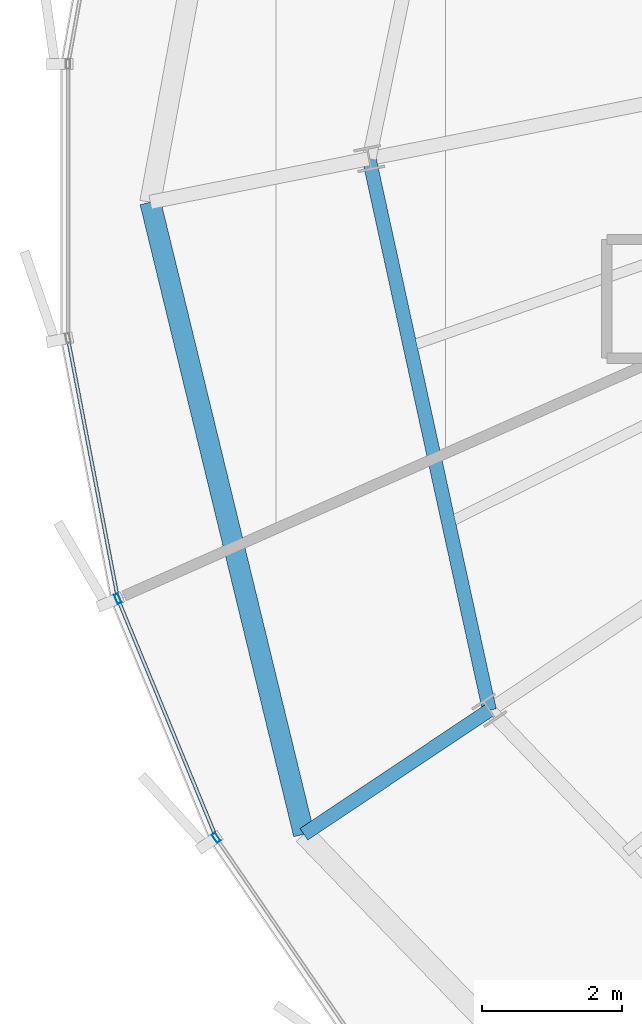
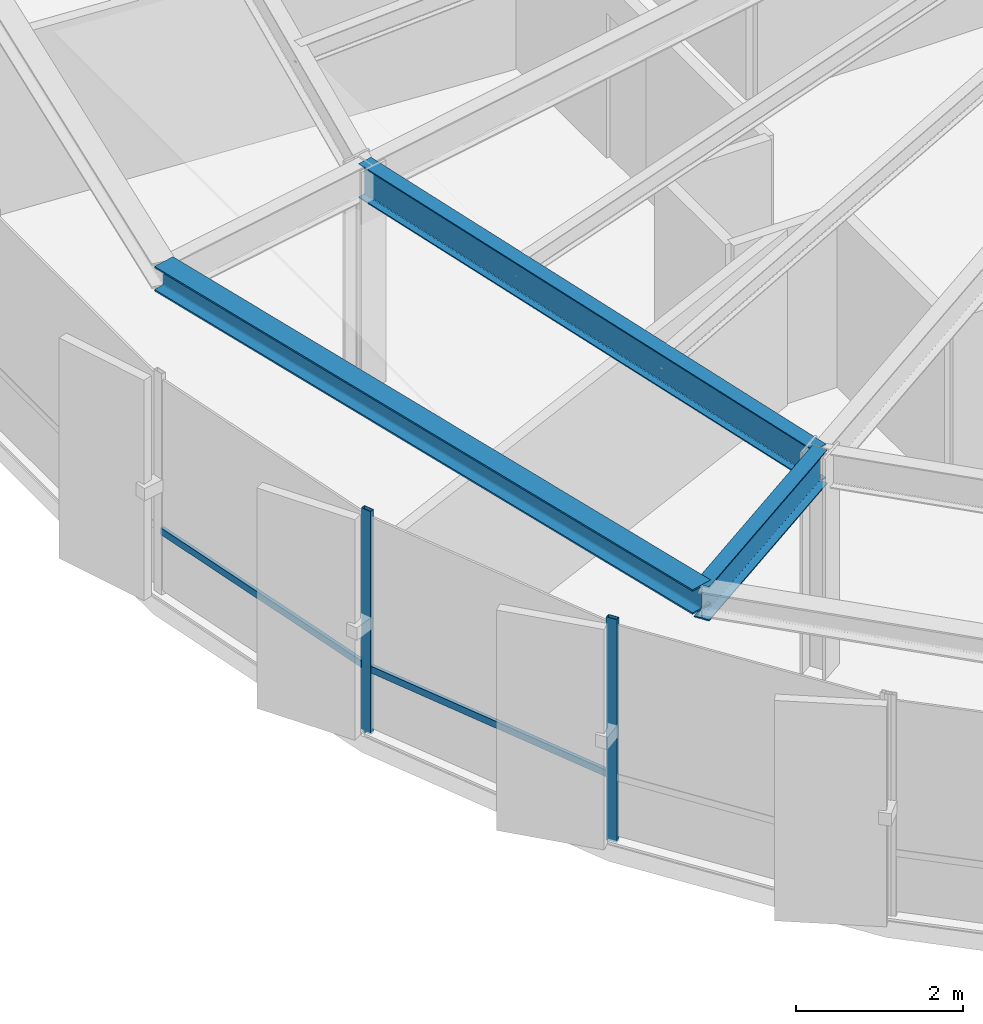
# One storey, part 4 of 36: 4 members, 3 beams, 1 element without a shape of its own.
"""IFC4 building model written with IfcOpenShell, lengths in metres."""

from ifc_helpers import new_model, si_unit, direction, frame, origin, origin_2d, place, context, subcontext, project, spatial, hollow_rectangle, i_section, extrude, source, transform, mapped, material, layer, layer_set, material_profile, profile_set, type_object, element, aggregate, save


model = new_model("IFC4")

# Units and contexts
model_context = context("Model", 3, precision=1e-05, world=origin(), true_north=direction((0.0, 1.0)))
body_context = subcontext(model_context, "Body", "Model", "MODEL_VIEW")
ifc_project = project(units=[si_unit("LENGTHUNIT", "METRE"), si_unit("AREAUNIT", "SQUARE_METRE"), si_unit("VOLUMEUNIT", "CUBIC_METRE"), si_unit("PLANEANGLEUNIT", "RADIAN"), si_unit("MASSUNIT", "GRAM", prefix="KILO"), si_unit("THERMODYNAMICTEMPERATUREUNIT", "KELVIN")], contexts=[model_context])

# Site, building, storey
site_placement = place(None, origin())
site = spatial("IfcSite", under=ifc_project, at=site_placement, CompositionType="ELEMENT")
building_placement = place(site_placement, origin())
building = spatial("IfcBuilding", under=site, at=building_placement, Name="Kethvar Cultural Tower", CompositionType="ELEMENT")
storey_placement = place(building_placement, frame((0.0, 0.0, 197.39990234375)))
storey = spatial("IfcBuildingStorey", under=building, at=storey_placement, Name="L51", CompositionType="ELEMENT", Elevation=197.39990234375)

# Beams
ifc_material_1 = material(Name="Steel S355J2", Category="steel")
ifc_material_profile_1 = material_profile(ifc_material_1, i_section(OverallWidth=0.199951171875, OverallDepth=0.5, WebThickness=0.01025390625, FlangeThickness=0.01611328125, FilletRadius=0.02099609375, at=origin_2d()), Name="Steel S355J2 — IPE500")
ifc_profile_set_1 = profile_set([ifc_material_profile_1], Name="Steel S355J2 — IPE500")
beam_type_1 = type_object("IfcBeamType", Name="BM-IPE500", PredefinedType="BEAM", material=ifc_profile_set_1)
shared_shape_1 = source(origin(), body_context, "Body", "SweptSolid", [
    extrude(i_section(OverallWidth=0.199951171875, OverallDepth=0.5, WebThickness=0.01025390625, FlangeThickness=0.01611328125, FilletRadius=0.02099609375, at=origin_2d()), origin(), (0.0, 0.0, 1.0), 3.199951171875),
])
beam_1_placement = place(storey_placement, frame((29.217529296875, 16.0517578125, 3.008056640625), z_axis=(-0.831462943996, -0.555580212716, 0.0), x_axis=(0.555580212716, -0.831462943996, 0.0)))
element("IfcBeam", 1, at=beam_1_placement, inside=storey, type_object=beam_type_1, Name="L51 Perimeter Cantilever Beam RC-10", PredefinedType="BEAM", context=body_context, shape_type="MappedRepresentation", body=[
    mapped(shared_shape_1, transform((0.0, 0.0, 0.0), scale=1.0)),
])
shared_shape_2 = source(origin(), body_context, "Body", "SweptSolid", [
    extrude(i_section(OverallWidth=0.199951171875, OverallDepth=0.5, WebThickness=0.01025390625, FlangeThickness=0.01611328125, FilletRadius=0.02099609375, at=origin_2d()), origin(), (0.0, 0.0, 1.0), 8.09375),
])
beam_2_placement = place(storey_placement, frame((27.492919921875, 23.959716796875, 3.008056640625), z_axis=(0.213077030298, -0.977035403227, 0.0), x_axis=(0.977035403227, 0.213077030298, 0.0)))
element("IfcBeam", 2, at=beam_2_placement, inside=storey, type_object=beam_type_1, Name="L51 Column Ring Tie Beam CR-09", PredefinedType="BEAM", context=body_context, shape_type="MappedRepresentation", body=[
    mapped(shared_shape_2, transform((0.0, 0.0, 0.0), scale=1.0)),
])
ifc_material_profile_2 = material_profile(ifc_material_1, i_section(OverallWidth=0.300048828125, OverallDepth=0.360107421875, WebThickness=0.012451171875, FlangeThickness=0.0224609375, FilletRadius=0.027099609375, at=origin_2d()), Name="Steel S355J2 — HEB360")
ifc_profile_set_2 = profile_set([ifc_material_profile_2], Name="Steel S355J2 — HEB360")
beam_type_2 = type_object("IfcBeamType", Name="BM-SP360", PredefinedType="SPANDREL", material=ifc_profile_set_2)
shared_shape_3 = source(origin(), body_context, "Body", "SweptSolid", [
    extrude(i_section(OverallWidth=0.300048828125, OverallDepth=0.360107421875, WebThickness=0.012451171875, FlangeThickness=0.0224609375, FilletRadius=0.027099609375, at=origin_2d()), origin(), (0.0, 0.0, 1.0), 9.3251953125),
])
beam_3_placement = place(storey_placement, frame((24.3544921875, 23.335205078125, 3.078125), z_axis=(0.236179213868, -0.97170951366, 0.0), x_axis=(0.97170951366, 0.236179213868, 0.0)))
element("IfcBeam", 3, at=beam_3_placement, inside=storey, type_object=beam_type_2, Name="L51 Perimeter Spandrel Beam SP-09", PredefinedType="SPANDREL", context=body_context, shape_type="MappedRepresentation", body=[
    mapped(shared_shape_3, transform((0.0, 0.0, 0.0), scale=1.0)),
])

# Curtain wall, members
ifc_material_2 = material(Name="Aluminium 6063-T6", Category="aluminium")
ifc_layer = layer(ifc_material_2, 0.179931640625, Name="Aluminium 6063-T6", Category="aluminium")
ifc_layer_set = layer_set([ifc_layer], Name="Aluminium 6063-T6 (180 mm)")
curtain_wall_type = type_object("IfcCurtainWallType", Name="CW-SYS-04-Z34", PredefinedType="NOTDEFINED", material=ifc_layer_set)
curtain_wall_placement = place(storey_placement, origin())
curtain_wall = element("IfcCurtainWall", 4, at=curtain_wall_placement, inside=storey, type_object=curtain_wall_type, Name="L51 Curtain Wall Run 03", PredefinedType="NOTDEFINED")
ifc_material_profile_3 = material_profile(ifc_material_2, hollow_rectangle(XDim=0.06005859375, YDim=0.139892578125, WallThickness=0.0048828125, at=origin_2d()), Name="Aluminium 6063-T6 — RHS140x60x5")
ifc_profile_set_3 = profile_set([ifc_material_profile_3], Name="Aluminium 6063-T6 — RHS140x60x5")
member_type_1 = type_object("IfcMemberType", Name="CW-SYS-04-Z34-MUL", PredefinedType="MULLION", material=ifc_profile_set_3)
shared_shape_4 = source(origin(), body_context, "Body", "SweptSolid", [
    extrude(hollow_rectangle(XDim=0.06005859375, YDim=0.139892578125, WallThickness=0.0048828125, at=origin_2d()), origin(), (0.0, 0.0, 1.0), 3.260009765625),
])
member_1_placement = place(storey_placement, frame((23.888916015625, 17.650634765625, 0.0), z_axis=(0.0, 0.0, 1.0), x_axis=(0.924552684404, 0.38105423992, 0.0)))
member_1 = element("IfcMember", 5, at=member_1_placement, type_object=member_type_1, Name="CW-L51-R03 Mullion 5", PredefinedType="MULLION", context=body_context, shape_type="MappedRepresentation", body=[
    mapped(shared_shape_4, transform((0.0, 0.0, 0.0), scale=1.0)),
])
member_2_placement = place(storey_placement, frame((25.298095703125, 14.22509765625, 0.0), z_axis=(0.0, 0.0, 1.0), x_axis=(0.825034605961, 0.565082205495, 0.0)))
member_2 = element("IfcMember", 6, at=member_2_placement, type_object=member_type_1, Name="CW-L51-R03 Mullion 6", PredefinedType="MULLION", context=body_context, shape_type="MappedRepresentation", body=[
    mapped(shared_shape_4, transform((0.0, 0.0, 0.0), scale=1.0)),
])
ifc_material_profile_4 = material_profile(ifc_material_2, hollow_rectangle(XDim=0.050048828125, YDim=0.10009765625, WallThickness=0.00390625, at=origin_2d()), Name="Aluminium 6063-T6 — RHS100x50x4")
ifc_profile_set_4 = profile_set([ifc_material_profile_4], Name="Aluminium 6063-T6 — RHS100x50x4")
member_type_2 = type_object("IfcMemberType", Name="CW-SYS-04-Z34-TRN", PredefinedType="USERDEFINED", material=ifc_profile_set_4)
shared_shape_5 = source(origin(), body_context, "Body", "SweptSolid", [
    extrude(hollow_rectangle(XDim=0.050048828125, YDim=0.10009765625, WallThickness=0.00390625, at=origin_2d()), origin(), (0.0, 0.0, 1.0), 3.73779296875),
])
member_3_placement = place(storey_placement, frame((23.182373046875, 21.342529296875, 0.9501953125), z_axis=(0.188573627602, -0.982059054728, 0.0), x_axis=(0.982059054728, 0.188573627602, 0.0)))
member_3 = element("IfcMember", 7, at=member_3_placement, type_object=member_type_2, Name="CW-L51-R03 Transom 4", ObjectType="TRANSOM", PredefinedType="USERDEFINED", context=body_context, shape_type="MappedRepresentation", body=[
    mapped(shared_shape_5, transform((0.0, 0.0, 0.0), scale=1.0)),
])
shared_shape_6 = source(origin(), body_context, "Body", "SweptSolid", [
    extrude(hollow_rectangle(XDim=0.050048828125, YDim=0.10009765625, WallThickness=0.00390625, at=origin_2d()), origin(), (0.0, 0.0, 1.0), 3.640380859375),
])
member_4_placement = place(storey_placement, frame((23.905517578125, 17.610595703125, 0.9501953125), z_axis=(0.381002777207, -0.924573893078, 0.0), x_axis=(0.924573893078, 0.381002777207, 0.0)))
member_4 = element("IfcMember", 8, at=member_4_placement, type_object=member_type_2, Name="CW-L51-R03 Transom 5", ObjectType="TRANSOM", PredefinedType="USERDEFINED", context=body_context, shape_type="MappedRepresentation", body=[
    mapped(shared_shape_6, transform((0.0, 0.0, 0.0), scale=1.0)),
])
aggregate(curtain_wall, [member_1, member_2, member_3, member_4])

save(model, "model.ifc")
